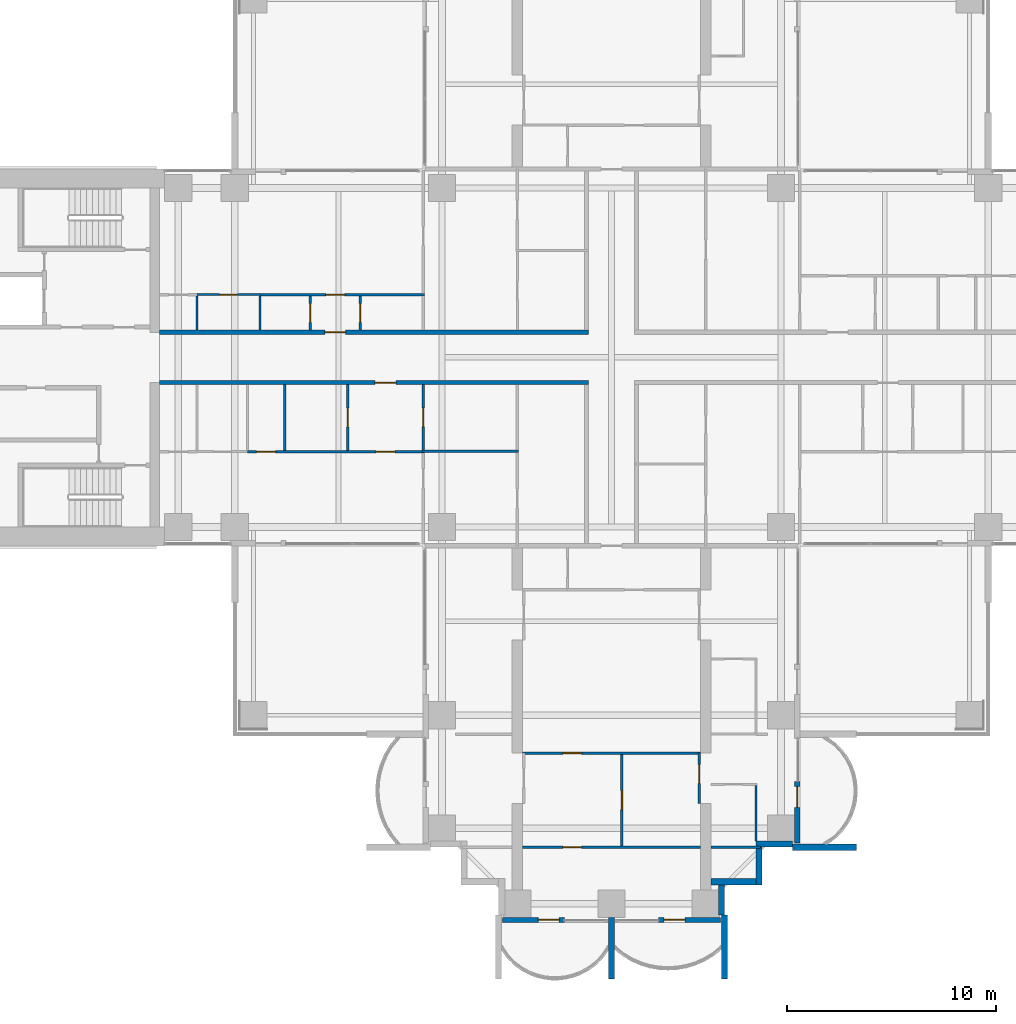
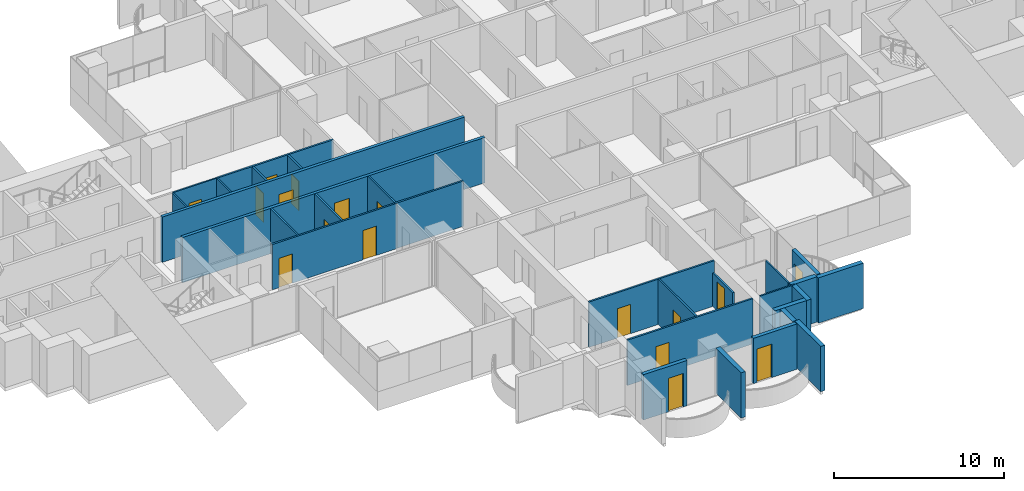
# One storey, part 12 of 22: 29 walls, 17 doors, 17 openings.
"""IFC4 building model written with IfcOpenShell, lengths in metres."""

import ifcopenshell
import ifcopenshell.guid

model = None  # the IFC model being written
_history = None  # IfcOwnerHistory: only IFC2X3 demands one
_inside = {}  # id of a spatial element -> (the spatial element, [elements in it])
_under = {}  # id of a project, library or spatial element -> (it, [spatial elements below it])
_declared = {}  # id of a project -> (the project, [libraries it declares])
_typed = {}  # id of a type object -> (the type object, [elements of that type])
_made_of = {}  # id of a material, layer set ... -> (it, [elements and type objects made of it])


def new_model(schema):
    """Start an empty IFC model of exactly this schema.

    Asked for "IFC4X3", IfcOpenShell would pick the latest addendum, in which some entities
    have other attributes; the version numbers below select the first issue.
    IFC2X3 requires an IfcOwnerHistory on every rooted entity: one is made here for all.
    """
    global model, _history
    if schema == "IFC4X3":
        model = ifcopenshell.file(schema_version=(4, 3, 0, 0))
    else:
        model = ifcopenshell.file(schema=schema)
    _inside.clear()
    _under.clear()
    _declared.clear()
    _typed.clear()
    _made_of.clear()
    _history = None
    if model.schema == "IFC2X3":
        org = make("IfcOrganization", Name="unknown")
        user = make(
            "IfcPersonAndOrganization",
            ThePerson=make("IfcPerson", FamilyName="unknown"),
            TheOrganization=org,
        )
        app = make(
            "IfcApplication",
            ApplicationDeveloper=org,
            Version="unknown",
            ApplicationFullName="unknown",
            ApplicationIdentifier="unknown",
        )
        _history = make(
            "IfcOwnerHistory",
            OwningUser=user,
            OwningApplication=app,
            ChangeAction="ADDED",
            CreationDate=0,
        )
    return model


def make(cls, **values):
    """One entity of the class cls with the attributes given. An attribute that is None is left unset."""
    return model.create_entity(
        cls, **{name: value for name, value in values.items() if value is not None}
    )


def rooted(cls, **values):
    """An entity with a GlobalId (a new one), such as an element, a storey or a relation."""
    return make(cls, GlobalId=ifcopenshell.guid.new(), OwnerHistory=_history, **values)


def si_unit(unit_type, name, prefix=None):
    """IfcSIUnit, for example si_unit("LENGTHUNIT", "METRE", prefix="MILLI")."""
    return make("IfcSIUnit", UnitType=unit_type, Prefix=prefix, Name=name)


def assignment(units):
    """IfcUnitAssignment: the units of a project."""
    return None if units is None else make("IfcUnitAssignment", Units=units)


def point(xyz):
    """IfcCartesianPoint."""
    return None if xyz is None else make("IfcCartesianPoint", Coordinates=xyz)


def direction(xyz):
    """IfcDirection."""
    return None if xyz is None else make("IfcDirection", DirectionRatios=xyz)


def frame(location, z_axis=None, x_axis=None):
    """IfcAxis2Placement3D, a coordinate frame: its origin and axes. An axis left out is left unset."""
    return make(
        "IfcAxis2Placement3D",
        Location=point(location),
        Axis=direction(z_axis),
        RefDirection=direction(x_axis),
    )


def frame_2d(location, x_axis=None):
    """IfcAxis2Placement2D, a coordinate frame in the plane: its origin and x axis."""
    return make(
        "IfcAxis2Placement2D", Location=point(location), RefDirection=direction(x_axis)
    )


def origin():
    """The frame at (0, 0, 0) with its axes left unset."""
    return frame((0.0, 0.0, 0.0))


def place(relative_to, where):
    """IfcLocalPlacement: puts the frame where relative to a parent placement (None: the world)."""
    return make(
        "IfcLocalPlacement", PlacementRelTo=relative_to, RelativePlacement=where
    )


def context(
    kind, dimensions, precision=None, world=None, true_north=None, identifier=None
):
    """IfcGeometricRepresentationContext, for example the 3D "Model" context."""
    return make(
        "IfcGeometricRepresentationContext",
        ContextIdentifier=identifier,
        ContextType=kind,
        CoordinateSpaceDimension=dimensions,
        Precision=precision,
        WorldCoordinateSystem=world,
        TrueNorth=true_north,
    )


def subcontext(parent, identifier, kind, view, scale=None):
    """IfcGeometricRepresentationSubContext, for example "Body" below "Model"."""
    return make(
        "IfcGeometricRepresentationSubContext",
        ContextIdentifier=identifier,
        ContextType=kind,
        ParentContext=parent,
        TargetScale=scale,
        TargetView=view,
    )


def project(units=None, contexts=None):
    """IfcProject with its units and contexts."""
    return rooted(
        "IfcProject",
        Name="project",
        RepresentationContexts=contexts,
        UnitsInContext=assignment(units),
    )


def spatial(cls, under=None, at=None, **own):
    """A site, building, storey or space (cls), placed at a placement, below another one or the project."""
    s = rooted(cls, ObjectPlacement=at, **own)
    if under is not None:
        _under.setdefault(under.id(), (under, []))[1].append(s)
    return s


def profile(cls, at=None, kind="AREA", **sizes):
    """A parametric profile (cls). Its sizes go by their IFC names, for example OverallWidth=200.0."""
    return make(cls, ProfileType=kind, Position=at, **sizes)


def rectangle(**sizes):
    """IfcRectangleProfileDef."""
    return profile("IfcRectangleProfileDef", **sizes)


def extrude(swept, where, along, depth):
    """IfcExtrudedAreaSolid: the profile swept, set in the frame where, extruded along a direction by depth."""
    return make(
        "IfcExtrudedAreaSolid",
        SweptArea=swept,
        Position=where,
        ExtrudedDirection=direction(along),
        Depth=depth,
    )


def shape(context_of_items, identifier, shape_type, items):
    """IfcShapeRepresentation: the items that make up one representation, for example the "Body"."""
    return make(
        "IfcShapeRepresentation",
        ContextOfItems=context_of_items,
        RepresentationIdentifier=identifier,
        RepresentationType=shape_type,
        Items=items,
    )


def material(Name=None, Category=None):
    """IfcMaterial."""
    return make("IfcMaterial", Name=Name, Category=Category)


def layer(
    of_material, thickness, ventilated=None, Name=None, Category=None, Priority=None
):
    """IfcMaterialLayer: one layer of a wall or slab, of a material (None: an air gap)."""
    return make(
        "IfcMaterialLayer",
        Material=of_material,
        LayerThickness=thickness,
        IsVentilated=ventilated,
        Name=Name,
        Category=Category,
        Priority=Priority,
    )


def layer_set(layers, Name=None):
    """IfcMaterialLayerSet."""
    return make("IfcMaterialLayerSet", MaterialLayers=layers, LayerSetName=Name)


def made_of(thing, what):
    """Note that an element or type object is made of a material, layer set ...; save() writes the relation."""
    if what is not None:
        _made_of.setdefault(what.id(), (what, []))[1].append(thing)
    return thing


def type_object(cls, material=None, **own):
    """A type object (cls), such as IfcWallType, which elements share."""
    return made_of(rooted(cls, **own), material)


def element(
    cls,
    number,
    at=None,
    inside=None,
    cuts=None,
    type_object=None,
    material=None,
    context=None,
    identifier="Body",
    shape_type=None,
    held_by="IfcProductDefinitionShape",
    body=None,
    shapes=None,
    **own,
):
    """One element of the class cls, such as IfcWall. Its Tag is "e" and its number.

    at: its placement. inside: the storey or other place that contains it. cuts: it is an
    opening in that element (IfcRelVoidsElement). A single representation is given by context,
    identifier, shape_type and body (its items); several are given by shapes. held_by: the class
    of the entity that holds the representations. save() writes the other relations.
    """
    e = rooted(cls, Tag="e%d" % number, ObjectPlacement=at, **own)
    if body is not None:
        shapes = [shape(context, identifier, shape_type, body)]
    if shapes is not None:
        e.Representation = make(held_by, Representations=shapes)
    if inside is not None:
        _inside.setdefault(inside.id(), (inside, []))[1].append(e)
    if cuts is not None:
        rooted(
            "IfcRelVoidsElement", RelatingBuildingElement=cuts, RelatedOpeningElement=e
        )
    if type_object is not None:
        _typed.setdefault(type_object.id(), (type_object, []))[1].append(e)
    return made_of(e, material)


def fill(opening, filler):
    """IfcRelFillsElement: the door or window that sits in an opening."""
    return rooted(
        "IfcRelFillsElement",
        RelatingOpeningElement=opening,
        RelatedBuildingElement=filler,
    )


def aggregate(whole, parts):
    """IfcRelAggregates: a whole, such as a stair, and the parts it consists of."""
    return rooted("IfcRelAggregates", RelatingObject=whole, RelatedObjects=parts)


def save(model, path):
    """Write the relations noted so far, then the file.

    IfcRelAggregates (storeys below a building ...), IfcRelContainedInSpatialStructure (elements
    in a storey), IfcRelDefinesByType, IfcRelAssociatesMaterial and IfcRelDeclares: one each for
    every whole, place, type object, material and project.
    """
    for whole, parts in _under.values():
        aggregate(whole, parts)
    for where, things in _inside.values():
        rooted(
            "IfcRelContainedInSpatialStructure",
            RelatedElements=things,
            RelatingStructure=where,
        )
    for kind, things in _typed.values():
        rooted("IfcRelDefinesByType", RelatedObjects=things, RelatingType=kind)
    for what, things in _made_of.values():
        rooted("IfcRelAssociatesMaterial", RelatedObjects=things, RelatingMaterial=what)
    for by, libraries in _declared.values():
        rooted("IfcRelDeclares", RelatingContext=by, RelatedDefinitions=libraries)
    model.write(path)


model = new_model("IFC4")

# Units and contexts
model_context = context("Model", 3, precision=1e-05, world=origin(), true_north=direction((0.0, 1.0)))
body_context = subcontext(model_context, "Body", "Model", "MODEL_VIEW")
ifc_project = project(units=[si_unit("LENGTHUNIT", "METRE"), si_unit("AREAUNIT", "SQUARE_METRE"), si_unit("VOLUMEUNIT", "CUBIC_METRE"), si_unit("PLANEANGLEUNIT", "RADIAN"), si_unit("MASSUNIT", "GRAM", prefix="KILO")], contexts=[model_context])

# Site, building, storey
site_placement = place(None, origin())
site = spatial("IfcSite", under=ifc_project, at=site_placement, CompositionType="ELEMENT")
building_placement = place(site_placement, origin())
building = spatial("IfcBuilding", under=site, at=building_placement, Name="Perihelion Cross Residences", CompositionType="ELEMENT")
storey_placement = place(building_placement, frame((0.0, 0.0, 50.5)))
storey = spatial("IfcBuildingStorey", under=building, at=storey_placement, Name="L09", CompositionType="ELEMENT", Elevation=50.5)

# Wall, opening, door
ifc_material_1 = material(Name="Plasterboard partition")
ifc_layer_1 = layer(ifc_material_1, 0.199951171875)
ifc_layer_set_1 = layer_set([ifc_layer_1], Name="Apartment separation wall 200")
wall_type_1 = type_object("IfcWallType", Name="Apartment separation wall 200", PredefinedType="PARTITIONING", material=ifc_layer_set_1)
wall_1_placement = place(storey_placement, frame((-21.60009765625, 1.199951171875, 0.0), z_axis=(0.0, 0.0, 1.0), x_axis=(1.0, 0.0, 0.0)))
wall_1 = element("IfcWall", 1, at=wall_1_placement, inside=storey, type_object=wall_type_1, Name="Partition L09 W005", PredefinedType="PARTITIONING", context=body_context, shape_type="SweptSolid", body=[
    extrude(rectangle(XDim=20.5, YDim=0.199951171875, at=frame_2d((10.25, 0.0))), origin(), (0.0, 0.0, 1.0), 3.25),
])
opening_1_placement = place(wall_1_placement, frame((7.89990234375, 0.0, 0.0)))
opening_1 = element("IfcOpeningElement", 2, at=opening_1_placement, cuts=wall_1, Name="Opening L09.A49", PredefinedType="OPENING", context=body_context, shape_type="SweptSolid", body=[
    extrude(rectangle(XDim=1.0, YDim=2.10009765625, at=frame_2d((0.5, 1.050048828125))), frame((0.0, 0.10986328125, 0.0), z_axis=(0.0, -1.0, 0.0), x_axis=(1.0, 0.0, 0.0)), (0.0, 0.0, 1.0), 0.219970703125),
])
ifc_material_2 = material(Name="Timber door leaf", Category="wood")
door_type_1 = type_object("IfcDoorType", Name="Flat entrance door 1000 x 2100", OperationType="SINGLE_SWING_LEFT", PredefinedType="DOOR", material=ifc_material_2)
door_1_placement = place(opening_1_placement, origin())
door_1 = element("IfcDoor", 3, at=door_1_placement, inside=storey, type_object=door_type_1, Name="Door L09.A49", OperationType="SINGLE_SWING_LEFT", OverallHeight=2.10009765625, OverallWidth=1.0, PredefinedType="DOOR", context=body_context, shape_type="SweptSolid", body=[
    extrude(rectangle(XDim=1.0, YDim=2.10009765625, at=frame_2d((0.5, 1.050048828125))), frame((0.0, 0.02490234375, 0.0), z_axis=(0.0, -1.0, 0.0), x_axis=(1.0, 0.0, 0.0)), (0.0, 0.0, 1.0), 0.050048828125),
])
fill(opening_1, door_1)

wall_2_placement = place(storey_placement, frame((-1.10009765625, -1.199951171875, 0.0), z_axis=(0.0, 0.0, 1.0), x_axis=(-1.0, 0.0, 0.0)))
wall_2 = element("IfcWall", 4, at=wall_2_placement, inside=storey, type_object=wall_type_1, Name="Partition L09 W007", PredefinedType="PARTITIONING", context=body_context, shape_type="SweptSolid", body=[
    extrude(rectangle(XDim=20.5, YDim=0.199951171875, at=frame_2d((10.25, 0.0))), origin(), (0.0, 0.0, 1.0), 3.25),
])
opening_2_placement = place(wall_2_placement, frame((9.199951171875, 0.0, 0.0)))
opening_2 = element("IfcOpeningElement", 5, at=opening_2_placement, cuts=wall_2, Name="Opening L09.A50", PredefinedType="OPENING", context=body_context, shape_type="SweptSolid", body=[
    extrude(rectangle(XDim=1.0, YDim=2.10009765625, at=frame_2d((0.5, 1.050048828125))), frame((0.0, 0.10986328125, 0.0), z_axis=(0.0, -1.0, 0.0), x_axis=(1.0, 0.0, 0.0)), (0.0, 0.0, 1.0), 0.219970703125),
])
door_2_placement = place(opening_2_placement, origin())
door_2 = element("IfcDoor", 6, at=door_2_placement, inside=storey, type_object=door_type_1, Name="Door L09.A50", OperationType="SINGLE_SWING_RIGHT", OverallHeight=2.10009765625, OverallWidth=1.0, PredefinedType="DOOR", context=body_context, shape_type="SweptSolid", body=[
    extrude(rectangle(XDim=1.0, YDim=2.10009765625, at=frame_2d((0.5, 1.050048828125))), frame((0.0, 0.02490234375, 0.0), z_axis=(0.0, -1.0, 0.0), x_axis=(1.0, 0.0, 0.0)), (0.0, 0.0, 1.0), 0.050048828125),
])
fill(opening_2, door_2)

ifc_material_3 = material(Name="Concrete C30/37, bronze-clad", Category="concrete")
ifc_layer_2 = layer(ifc_material_3, 0.25)
ifc_layer_set_2 = layer_set([ifc_layer_2], Name="Bronze-clad pier wall 250")
wall_type_2 = type_object("IfcWallType", Name="Bronze-clad pier wall 250", PredefinedType="SOLIDWALL", material=ifc_layer_set_2)
wall_3_placement = place(storey_placement, frame((-5.199951171875, -26.875, 0.0), z_axis=(0.0, 0.0, 1.0), x_axis=(1.0, 0.0, 0.0)))
wall_3 = element("IfcWall", 7, at=wall_3_placement, inside=storey, type_object=wall_type_2, Name="Wall FW1 L09 south tip south bay 1 pier", PredefinedType="SOLIDWALL", context=body_context, shape_type="SweptSolid", body=[
    extrude(rectangle(XDim=2.949951171875, YDim=0.25, at=frame_2d((1.47509765625, 0.0))), origin(), (0.0, 0.0, 1.0), 3.25),
])
opening_3_placement = place(wall_3_placement, frame((1.699951171875, 0.0, 0.0)))
opening_3 = element("IfcOpeningElement", 8, at=opening_3_placement, cuts=wall_3, Name="Opening L09.E12", PredefinedType="OPENING", context=body_context, shape_type="SweptSolid", body=[
    extrude(rectangle(XDim=1.0, YDim=2.39990234375, at=frame_2d((0.5, 1.199951171875))), frame((0.0, 0.135009765625, 0.0), z_axis=(0.0, -1.0, 0.0), x_axis=(1.0, 0.0, 0.0)), (0.0, 0.0, 1.0), 0.27001953125),
])
ifc_material_4 = material(Name="Bronze anodised aluminium, glazed", Category="aluminium")
door_type_2 = type_object("IfcDoorType", Name="Balcony door 1000 x 2400", OperationType="NOTDEFINED", PredefinedType="DOOR", material=ifc_material_4)
door_3_placement = place(opening_3_placement, origin())
door_3 = element("IfcDoor", 9, at=door_3_placement, inside=storey, type_object=door_type_2, Name="Door L09.E12 south tip south bay 1", OperationType="SINGLE_SWING_LEFT", OverallHeight=2.39990234375, OverallWidth=1.0, PredefinedType="DOOR", context=body_context, shape_type="SweptSolid", body=[
    extrude(rectangle(XDim=1.0, YDim=2.39990234375, at=frame_2d((0.5, 1.199951171875))), frame((0.0, 0.02490234375, 0.0), z_axis=(0.0, -1.0, 0.0), x_axis=(1.0, 0.0, 0.0)), (0.0, 0.0, 1.0), 0.050048828125),
])
fill(opening_3, door_3)

wall_4_placement = place(storey_placement, frame((2.25, -26.875, 0.0), z_axis=(0.0, 0.0, 1.0), x_axis=(1.0, 0.0, 0.0)))
wall_4 = element("IfcWall", 10, at=wall_4_placement, inside=storey, type_object=wall_type_2, Name="Wall FW1 L09 south tip south bay 2 pier", PredefinedType="SOLIDWALL", context=body_context, shape_type="SweptSolid", body=[
    extrude(rectangle(XDim=2.949951171875, YDim=0.25, at=frame_2d((1.47509765625, 0.0))), origin(), (0.0, 0.0, 1.0), 3.25),
])
opening_4_placement = place(wall_4_placement, frame((0.25, 0.0, 0.0)))
opening_4 = element("IfcOpeningElement", 11, at=opening_4_placement, cuts=wall_4, Name="Opening L09.E13", PredefinedType="OPENING", context=body_context, shape_type="SweptSolid", body=[
    extrude(rectangle(XDim=1.0, YDim=2.39990234375, at=frame_2d((0.5, 1.199951171875))), frame((0.0, 0.135009765625, 0.0), z_axis=(0.0, -1.0, 0.0), x_axis=(1.0, 0.0, 0.0)), (0.0, 0.0, 1.0), 0.27001953125),
])
door_4_placement = place(opening_4_placement, origin())
door_4 = element("IfcDoor", 12, at=door_4_placement, inside=storey, type_object=door_type_2, Name="Door L09.E13 south tip south bay 2", OperationType="SINGLE_SWING_RIGHT", OverallHeight=2.39990234375, OverallWidth=1.0, PredefinedType="DOOR", context=body_context, shape_type="SweptSolid", body=[
    extrude(rectangle(XDim=1.0, YDim=2.39990234375, at=frame_2d((0.5, 1.199951171875))), frame((0.0, 0.02490234375, 0.0), z_axis=(0.0, -1.0, 0.0), x_axis=(1.0, 0.0, 0.0)), (0.0, 0.0, 1.0), 0.050048828125),
])
fill(opening_4, door_4)

wall_5_placement = place(storey_placement, frame((8.875, -23.199951171875, 0.0), z_axis=(0.0, 0.0, 1.0), x_axis=(0.0, 1.0, 0.0)))
wall_5 = element("IfcWall", 13, at=wall_5_placement, inside=storey, type_object=wall_type_2, Name="Wall FW1 L09 south side east bay 1 pier", PredefinedType="SOLIDWALL", context=body_context, shape_type="SweptSolid", body=[
    extrude(rectangle(XDim=2.949951171875, YDim=0.25, at=frame_2d((1.47509765625, 0.0))), origin(), (0.0, 0.0, 1.0), 3.25),
])
opening_5_placement = place(wall_5_placement, frame((1.699951171875, 0.0, 0.0)))
opening_5 = element("IfcOpeningElement", 14, at=opening_5_placement, cuts=wall_5, Name="Opening L09.E14", PredefinedType="OPENING", context=body_context, shape_type="SweptSolid", body=[
    extrude(rectangle(XDim=1.0, YDim=2.39990234375, at=frame_2d((0.5, 1.199951171875))), frame((0.0, 0.135009765625, 0.0), z_axis=(0.0, -1.0, 0.0), x_axis=(1.0, 0.0, 0.0)), (0.0, 0.0, 1.0), 0.27001953125),
])
door_5_placement = place(opening_5_placement, origin())
door_5 = element("IfcDoor", 15, at=door_5_placement, inside=storey, type_object=door_type_2, Name="Door L09.E14 south side east bay 1", OperationType="SINGLE_SWING_LEFT", OverallHeight=2.39990234375, OverallWidth=1.0, PredefinedType="DOOR", context=body_context, shape_type="SweptSolid", body=[
    extrude(rectangle(XDim=1.0, YDim=2.39990234375, at=frame_2d((0.5, 1.199951171875))), frame((0.0, 0.02490234375, 0.0), z_axis=(0.0, -1.0, 0.0), x_axis=(1.0, 0.0, 0.0)), (0.0, 0.0, 1.0), 0.050048828125),
])
fill(opening_5, door_5)

# Walls
ifc_material_5 = material(Name="Concrete C30/37, bronze-clad", Category="concrete")
ifc_layer_3 = layer(ifc_material_5, 0.300048828125)
ifc_layer_set_3 = layer_set([ifc_layer_3], Name="Bronze-clad serration wall 300")
wall_type_3 = type_object("IfcWallType", Name="Bronze-clad serration wall 300", PredefinedType="SOLIDWALL", material=ifc_layer_set_3)
wall_6_placement = place(storey_placement, frame((5.25, -26.64990234375, 0.0), z_axis=(0.0, 0.0, 1.0), x_axis=(0.0, 1.0, 0.0)))
element("IfcWall", 16, at=wall_6_placement, inside=storey, type_object=wall_type_3, Name="Wall SR1 L09 south corner south-east 1", PredefinedType="SOLIDWALL", context=body_context, shape_type="SweptSolid", body=[
    extrude(rectangle(XDim=1.449951171875, YDim=0.300048828125, at=frame_2d((0.72509765625, 0.0))), origin(), (0.0, 0.0, 1.0), 3.25),
])
wall_7_placement = place(storey_placement, frame((4.75, -25.050048828125, 0.0), z_axis=(0.0, 0.0, 1.0), x_axis=(1.0, 0.0, 0.0)))
element("IfcWall", 17, at=wall_7_placement, inside=storey, type_object=wall_type_3, Name="Wall SR1 L09 south corner south-east 2", PredefinedType="SOLIDWALL", context=body_context, shape_type="SweptSolid", body=[
    extrude(rectangle(XDim=2.14990234375, YDim=0.300048828125, at=frame_2d((1.074951171875, 0.0))), origin(), (0.0, 0.0, 1.0), 3.25),
])
wall_8_placement = place(storey_placement, frame((7.050048828125, -25.199951171875, 0.0), z_axis=(0.0, 0.0, 1.0), x_axis=(0.0, 1.0, 0.0)))
element("IfcWall", 18, at=wall_8_placement, inside=storey, type_object=wall_type_3, Name="Wall SR1 L09 south corner south-east 3", PredefinedType="SOLIDWALL", context=body_context, shape_type="SweptSolid", body=[
    extrude(rectangle(XDim=1.800048828125, YDim=0.300048828125, at=frame_2d((0.89990234375, 0.0))), origin(), (0.0, 0.0, 1.0), 3.25),
])
wall_9_placement = place(storey_placement, frame((6.89990234375, -23.25, 0.0), z_axis=(0.0, 0.0, 1.0), x_axis=(1.0, 0.0, 0.0)))
element("IfcWall", 19, at=wall_9_placement, inside=storey, type_object=wall_type_3, Name="Wall SR1 L09 south corner south-east 4", PredefinedType="SOLIDWALL", context=body_context, shape_type="SweptSolid", body=[
    extrude(rectangle(XDim=1.75, YDim=0.300048828125, at=frame_2d((0.875, 0.0))), origin(), (0.0, 0.0, 1.0), 3.25),
])

# Wall, opening, door
ifc_material_6 = material(Name="Plasterboard partition")
ifc_layer_4 = layer(ifc_material_6, 0.1201171875)
ifc_layer_set_4 = layer_set([ifc_layer_4], Name="Infill panel 120")
wall_type_4 = type_object("IfcWallType", Name="Infill panel 120", PredefinedType="PARTITIONING", material=ifc_layer_set_4)
wall_10_placement = place(storey_placement, frame((4.18994140625, -18.89990234375, 0.0), z_axis=(0.0, 0.0, 1.0), x_axis=(0.0, -1.0, 0.0)))
wall_10 = element("IfcWall", 20, at=wall_10_placement, inside=storey, type_object=wall_type_4, Name="Partition L09 WI06", PredefinedType="PARTITIONING", context=body_context, shape_type="SweptSolid", body=[
    extrude(rectangle(XDim=2.400146484375, YDim=0.1201171875, at=frame_2d((1.2001953125, 0.0))), origin(), (0.0, 0.0, 1.0), 2.39990234375),
])
opening_6_placement = place(wall_10_placement, frame((0.550048828125, 0.0, 0.0)))
opening_6 = element("IfcOpeningElement", 21, at=opening_6_placement, cuts=wall_10, Name="Opening L09.A56", PredefinedType="OPENING", context=body_context, shape_type="SweptSolid", body=[
    extrude(rectangle(XDim=0.89990234375, YDim=2.10009765625, at=frame_2d((0.449951171875, 1.050048828125))), frame((0.0, 0.070068359375, 0.0), z_axis=(0.0, -1.0, 0.0), x_axis=(1.0, 0.0, 0.0)), (0.0, 0.0, 1.0), 0.14013671875),
])
ifc_material_7 = material(Name="Timber door leaf", Category="wood")
door_type_3 = type_object("IfcDoorType", Name="Interior room door 900 x 2100", OperationType="SINGLE_SWING_LEFT", PredefinedType="DOOR", material=ifc_material_7)
door_6_placement = place(opening_6_placement, origin())
door_6 = element("IfcDoor", 22, at=door_6_placement, inside=storey, type_object=door_type_3, Name="Door L09.A56", OperationType="SINGLE_SWING_LEFT", OverallHeight=2.10009765625, OverallWidth=0.89990234375, PredefinedType="DOOR", context=body_context, shape_type="SweptSolid", body=[
    extrude(rectangle(XDim=0.89990234375, YDim=2.10009765625, at=frame_2d((0.449951171875, 1.050048828125))), frame((0.0, 0.02490234375, 0.0), z_axis=(0.0, -1.0, 0.0), x_axis=(1.0, 0.0, 0.0)), (0.0, 0.0, 1.0), 0.050048828125),
])
fill(opening_6, door_6)

ifc_material_8 = material(Name="Plasterboard partition")
ifc_layer_5 = layer(ifc_material_8, 0.1201171875)
ifc_layer_set_5 = layer_set([ifc_layer_5], Name="Partition wall 120")
wall_type_5 = type_object("IfcWallType", Name="Partition wall 120", PredefinedType="PARTITIONING", material=ifc_layer_set_5)
wall_11_placement = place(storey_placement, frame((-12.0, 1.300048828125, 0.0), z_axis=(0.0, 0.0, 1.0), x_axis=(0.0, 1.0, 0.0)))
wall_11 = element("IfcWall", 23, at=wall_11_placement, inside=storey, type_object=wall_type_5, Name="Partition L09 W031", PredefinedType="PARTITIONING", context=body_context, shape_type="SweptSolid", body=[
    extrude(rectangle(XDim=1.639892578125, YDim=0.1201171875, at=frame_2d((0.81982421875, 0.0))), origin(), (0.0, 0.0, 1.0), 3.25),
])
opening_7_placement = place(wall_11_placement, frame((0.3701171875, 0.0, 0.0)))
opening_7 = element("IfcOpeningElement", 24, at=opening_7_placement, cuts=wall_11, Name="Opening L09.A17", PredefinedType="OPENING", context=body_context, shape_type="SweptSolid", body=[
    extrude(rectangle(XDim=0.89990234375, YDim=2.10009765625, at=frame_2d((0.449951171875, 1.050048828125))), frame((0.0, 0.070068359375, 0.0), z_axis=(0.0, -1.0, 0.0), x_axis=(1.0, 0.0, 0.0)), (0.0, 0.0, 1.0), 0.14013671875),
])
door_7_placement = place(opening_7_placement, origin())
door_7 = element("IfcDoor", 25, at=door_7_placement, inside=storey, type_object=door_type_3, Name="Door L09.A17", OperationType="SINGLE_SWING_RIGHT", OverallHeight=2.10009765625, OverallWidth=0.89990234375, PredefinedType="DOOR", context=body_context, shape_type="SweptSolid", body=[
    extrude(rectangle(XDim=0.89990234375, YDim=2.10009765625, at=frame_2d((0.449951171875, 1.050048828125))), frame((0.0, 0.02490234375, 0.0), z_axis=(0.0, -1.0, 0.0), x_axis=(1.0, 0.0, 0.0)), (0.0, 0.0, 1.0), 0.050048828125),
])
fill(opening_7, door_7)

wall_12_placement = place(storey_placement, frame((-16.800048828125, 3.0, 0.0), z_axis=(0.0, 0.0, 1.0), x_axis=(1.0, 0.0, 0.0)))
wall_12 = element("IfcWall", 26, at=wall_12_placement, inside=storey, type_object=wall_type_5, Name="Partition L09 W032", PredefinedType="PARTITIONING", context=body_context, shape_type="SweptSolid", body=[
    extrude(rectangle(XDim=7.860107421875, YDim=0.1201171875, at=frame_2d((3.93017578125, 0.0))), origin(), (0.0, 0.0, 1.0), 3.25),
])
opening_8_placement = place(wall_12_placement, frame((3.14990234375, 0.0, 0.0)))
opening_8 = element("IfcOpeningElement", 27, at=opening_8_placement, cuts=wall_12, Name="Opening L09.A22", PredefinedType="OPENING", context=body_context, shape_type="SweptSolid", body=[
    extrude(rectangle(XDim=0.89990234375, YDim=2.10009765625, at=frame_2d((0.449951171875, 1.050048828125))), frame((0.0, 0.070068359375, 0.0), z_axis=(0.0, -1.0, 0.0), x_axis=(1.0, 0.0, 0.0)), (0.0, 0.0, 1.0), 0.14013671875),
])
door_8_placement = place(opening_8_placement, origin())
door_8 = element("IfcDoor", 28, at=door_8_placement, inside=storey, type_object=door_type_3, Name="Door L09.A22", OperationType="SINGLE_SWING_LEFT", OverallHeight=2.10009765625, OverallWidth=0.89990234375, PredefinedType="DOOR", context=body_context, shape_type="SweptSolid", body=[
    extrude(rectangle(XDim=0.89990234375, YDim=2.10009765625, at=frame_2d((0.449951171875, 1.050048828125))), frame((0.0, 0.02490234375, 0.0), z_axis=(0.0, -1.0, 0.0), x_axis=(1.0, 0.0, 0.0)), (0.0, 0.0, 1.0), 0.050048828125),
])
fill(opening_8, door_8)

wall_13_placement = place(storey_placement, frame((-14.39990234375, 1.300048828125, 0.0), z_axis=(0.0, 0.0, 1.0), x_axis=(0.0, 1.0, 0.0)))
wall_13 = element("IfcWall", 29, at=wall_13_placement, inside=storey, type_object=wall_type_5, Name="Partition L09 W034", PredefinedType="PARTITIONING", context=body_context, shape_type="SweptSolid", body=[
    extrude(rectangle(XDim=1.639892578125, YDim=0.1201171875, at=frame_2d((0.81982421875, 0.0))), origin(), (0.0, 0.0, 1.0), 3.25),
])
opening_9_placement = place(wall_13_placement, frame((0.3701171875, 0.0, 0.0)))
opening_9 = element("IfcOpeningElement", 30, at=opening_9_placement, cuts=wall_13, Name="Opening L09.A23", PredefinedType="OPENING", context=body_context, shape_type="SweptSolid", body=[
    extrude(rectangle(XDim=0.89990234375, YDim=2.10009765625, at=frame_2d((0.449951171875, 1.050048828125))), frame((0.0, 0.070068359375, 0.0), z_axis=(0.0, -1.0, 0.0), x_axis=(1.0, 0.0, 0.0)), (0.0, 0.0, 1.0), 0.14013671875),
])
door_9_placement = place(opening_9_placement, origin())
door_9 = element("IfcDoor", 31, at=door_9_placement, inside=storey, type_object=door_type_3, Name="Door L09.A23", OperationType="SINGLE_SWING_LEFT", OverallHeight=2.10009765625, OverallWidth=0.89990234375, PredefinedType="DOOR", context=body_context, shape_type="SweptSolid", body=[
    extrude(rectangle(XDim=0.89990234375, YDim=2.10009765625, at=frame_2d((0.449951171875, 1.050048828125))), frame((0.0, 0.02490234375, 0.0), z_axis=(0.0, -1.0, 0.0), x_axis=(1.0, 0.0, 0.0)), (0.0, 0.0, 1.0), 0.050048828125),
])
fill(opening_9, door_9)

wall_14_placement = place(storey_placement, frame((-12.60009765625, -4.43994140625, 0.0), z_axis=(0.0, 0.0, 1.0), x_axis=(0.0, 1.0, 0.0)))
wall_14 = element("IfcWall", 32, at=wall_14_placement, inside=storey, type_object=wall_type_5, Name="Partition L09 W042", PredefinedType="PARTITIONING", context=body_context, shape_type="SweptSolid", body=[
    extrude(rectangle(XDim=3.139892578125, YDim=0.1201171875, at=frame_2d((1.56982421875, 0.0))), origin(), (0.0, 0.0, 1.0), 3.25),
])
opening_10_placement = place(wall_14_placement, frame((1.1201171875, 0.0, 0.0)))
opening_10 = element("IfcOpeningElement", 33, at=opening_10_placement, cuts=wall_14, Name="Opening L09.A26", PredefinedType="OPENING", context=body_context, shape_type="SweptSolid", body=[
    extrude(rectangle(XDim=0.89990234375, YDim=2.10009765625, at=frame_2d((0.449951171875, 1.050048828125))), frame((0.0, 0.070068359375, 0.0), z_axis=(0.0, -1.0, 0.0), x_axis=(1.0, 0.0, 0.0)), (0.0, 0.0, 1.0), 0.14013671875),
])
door_10_placement = place(opening_10_placement, origin())
door_10 = element("IfcDoor", 34, at=door_10_placement, inside=storey, type_object=door_type_3, Name="Door L09.A26", OperationType="SINGLE_SWING_RIGHT", OverallHeight=2.10009765625, OverallWidth=0.89990234375, PredefinedType="DOOR", context=body_context, shape_type="SweptSolid", body=[
    extrude(rectangle(XDim=0.89990234375, YDim=2.10009765625, at=frame_2d((0.449951171875, 1.050048828125))), frame((0.0, 0.02490234375, 0.0), z_axis=(0.0, -1.0, 0.0), x_axis=(1.0, 0.0, 0.0)), (0.0, 0.0, 1.0), 0.050048828125),
])
fill(opening_10, door_10)

# Wall, openings, doors
wall_15_placement = place(storey_placement, frame((-8.93994140625, -4.5, 0.0), z_axis=(0.0, 0.0, 1.0), x_axis=(-1.0, 0.0, 0.0)))
wall_15 = element("IfcWall", 35, at=wall_15_placement, inside=storey, type_object=wall_type_5, Name="Partition L09 W043", PredefinedType="PARTITIONING", context=body_context, shape_type="SweptSolid", body=[
    extrude(rectangle(XDim=8.4599609375, YDim=0.1201171875, at=frame_2d((4.22998046875, 0.0))), origin(), (0.0, 0.0, 1.0), 3.25),
])
opening_11_placement = place(wall_15_placement, frame((7.110107421875, 0.0, 0.0)))
opening_11 = element("IfcOpeningElement", 36, at=opening_11_placement, cuts=wall_15, Name="Opening L09.A28", PredefinedType="OPENING", context=body_context, shape_type="SweptSolid", body=[
    extrude(rectangle(XDim=0.89990234375, YDim=2.10009765625, at=frame_2d((0.449951171875, 1.050048828125))), frame((0.0, 0.070068359375, 0.0), z_axis=(0.0, -1.0, 0.0), x_axis=(1.0, 0.0, 0.0)), (0.0, 0.0, 1.0), 0.14013671875),
])
opening_12_placement = place(wall_15_placement, frame((1.409912109375, 0.0, 0.0)))
opening_12 = element("IfcOpeningElement", 37, at=opening_12_placement, cuts=wall_15, Name="Opening L09.A31", PredefinedType="OPENING", context=body_context, shape_type="SweptSolid", body=[
    extrude(rectangle(XDim=0.89990234375, YDim=2.10009765625, at=frame_2d((0.449951171875, 1.050048828125))), frame((0.0, 0.070068359375, 0.0), z_axis=(0.0, -1.0, 0.0), x_axis=(1.0, 0.0, 0.0)), (0.0, 0.0, 1.0), 0.14013671875),
])
door_11_placement = place(opening_11_placement, origin())
door_11 = element("IfcDoor", 38, at=door_11_placement, inside=storey, type_object=door_type_3, Name="Door L09.A28", OperationType="SINGLE_SWING_RIGHT", OverallHeight=2.10009765625, OverallWidth=0.89990234375, PredefinedType="DOOR", context=body_context, shape_type="SweptSolid", body=[
    extrude(rectangle(XDim=0.89990234375, YDim=2.10009765625, at=frame_2d((0.449951171875, 1.050048828125))), frame((0.0, 0.02490234375, 0.0), z_axis=(0.0, -1.0, 0.0), x_axis=(1.0, 0.0, 0.0)), (0.0, 0.0, 1.0), 0.050048828125),
])
fill(opening_11, door_11)
door_12_placement = place(opening_12_placement, origin())
door_12 = element("IfcDoor", 39, at=door_12_placement, inside=storey, type_object=door_type_3, Name="Door L09.A31", OperationType="SINGLE_SWING_LEFT", OverallHeight=2.10009765625, OverallWidth=0.89990234375, PredefinedType="DOOR", context=body_context, shape_type="SweptSolid", body=[
    extrude(rectangle(XDim=0.89990234375, YDim=2.10009765625, at=frame_2d((0.449951171875, 1.050048828125))), frame((0.0, 0.02490234375, 0.0), z_axis=(0.0, -1.0, 0.0), x_axis=(1.0, 0.0, 0.0)), (0.0, 0.0, 1.0), 0.050048828125),
])
fill(opening_12, door_12)

# Wall, opening, door
wall_16_placement = place(storey_placement, frame((-9.0, -1.300048828125, 0.0), z_axis=(0.0, 0.0, 1.0), x_axis=(0.0, -1.0, 0.0)))
wall_16 = element("IfcWall", 40, at=wall_16_placement, inside=storey, type_object=wall_type_5, Name="Partition L09 W044", PredefinedType="PARTITIONING", context=body_context, shape_type="SweptSolid", body=[
    extrude(rectangle(XDim=3.115966796875, YDim=0.1201171875, at=frame_2d((1.55810546875, 0.0))), origin(), (0.0, 0.0, 1.0), 3.25),
])
opening_13_placement = place(wall_16_placement, frame((1.10791015625, 0.0, 0.0)))
opening_13 = element("IfcOpeningElement", 41, at=opening_13_placement, cuts=wall_16, Name="Opening L09.A27", PredefinedType="OPENING", context=body_context, shape_type="SweptSolid", body=[
    extrude(rectangle(XDim=0.89990234375, YDim=2.10009765625, at=frame_2d((0.449951171875, 1.050048828125))), frame((0.0, 0.070068359375, 0.0), z_axis=(0.0, -1.0, 0.0), x_axis=(1.0, 0.0, 0.0)), (0.0, 0.0, 1.0), 0.14013671875),
])
door_13_placement = place(opening_13_placement, origin())
door_13 = element("IfcDoor", 42, at=door_13_placement, inside=storey, type_object=door_type_3, Name="Door L09.A27", OperationType="SINGLE_SWING_LEFT", OverallHeight=2.10009765625, OverallWidth=0.89990234375, PredefinedType="DOOR", context=body_context, shape_type="SweptSolid", body=[
    extrude(rectangle(XDim=0.89990234375, YDim=2.10009765625, at=frame_2d((0.449951171875, 1.050048828125))), frame((0.0, 0.02490234375, 0.0), z_axis=(0.0, -1.0, 0.0), x_axis=(1.0, 0.0, 0.0)), (0.0, 0.0, 1.0), 0.050048828125),
])
fill(opening_13, door_13)

# Walls
wall_17_placement = place(storey_placement, frame((-15.60009765625, -4.43994140625, 0.0), z_axis=(0.0, 0.0, 1.0), x_axis=(0.0, 1.0, 0.0)))
element("IfcWall", 43, at=wall_17_placement, inside=storey, type_object=wall_type_5, Name="Partition L09 W045", PredefinedType="PARTITIONING", context=body_context, shape_type="SweptSolid", body=[
    extrude(rectangle(XDim=3.139892578125, YDim=0.1201171875, at=frame_2d((1.56982421875, 0.0))), origin(), (0.0, 0.0, 1.0), 3.25),
])
wall_18_placement = place(storey_placement, frame((-4.43994140625, -4.47607421875, 0.0), z_axis=(0.0, 0.0, 1.0), x_axis=(-1.0, 0.0, 0.0)))
element("IfcWall", 44, at=wall_18_placement, inside=storey, type_object=wall_type_5, Name="Partition L09 W051", PredefinedType="PARTITIONING", context=body_context, shape_type="SweptSolid", body=[
    extrude(rectangle(XDim=4.6201171875, YDim=0.1201171875, at=frame_2d((2.31005859375, 0.0))), origin(), (0.0, 0.0, 1.0), 3.25),
])

# Wall, opening, door
wall_19_placement = place(storey_placement, frame((4.25, -18.89990234375, 0.0), z_axis=(0.0, 0.0, 1.0), x_axis=(-1.0, 0.0, 0.0)))
wall_19 = element("IfcWall", 45, at=wall_19_placement, inside=storey, type_object=wall_type_5, Name="Partition L09 W069", PredefinedType="PARTITIONING", context=body_context, shape_type="SweptSolid", body=[
    extrude(rectangle(XDim=8.5, YDim=0.1201171875, at=frame_2d((4.25, 0.0))), origin(), (0.0, 0.0, 1.0), 3.25),
])
opening_14_placement = place(wall_19_placement, frame((5.675048828125, 0.0, 0.0)))
opening_14 = element("IfcOpeningElement", 46, at=opening_14_placement, cuts=wall_19, Name="Opening L09.A42", PredefinedType="OPENING", context=body_context, shape_type="SweptSolid", body=[
    extrude(rectangle(XDim=0.89990234375, YDim=2.10009765625, at=frame_2d((0.449951171875, 1.050048828125))), frame((0.0, 0.070068359375, 0.0), z_axis=(0.0, -1.0, 0.0), x_axis=(1.0, 0.0, 0.0)), (0.0, 0.0, 1.0), 0.14013671875),
])
door_14_placement = place(opening_14_placement, origin())
door_14 = element("IfcDoor", 47, at=door_14_placement, inside=storey, type_object=door_type_3, Name="Door L09.A42", OperationType="SINGLE_SWING_LEFT", OverallHeight=2.10009765625, OverallWidth=0.89990234375, PredefinedType="DOOR", context=body_context, shape_type="SweptSolid", body=[
    extrude(rectangle(XDim=0.89990234375, YDim=2.10009765625, at=frame_2d((0.449951171875, 1.050048828125))), frame((0.0, 0.02490234375, 0.0), z_axis=(0.0, -1.0, 0.0), x_axis=(1.0, 0.0, 0.0)), (0.0, 0.0, 1.0), 0.050048828125),
])
fill(opening_14, door_14)

wall_20_placement = place(storey_placement, frame((0.5, -18.9599609375, 0.0), z_axis=(0.0, 0.0, 1.0), x_axis=(0.0, -1.0, 0.0)))
wall_20 = element("IfcWall", 48, at=wall_20_placement, inside=storey, type_object=wall_type_5, Name="Partition L09 W070", PredefinedType="PARTITIONING", context=body_context, shape_type="SweptSolid", body=[
    extrude(rectangle(XDim=4.380126953125, YDim=0.1201171875, at=frame_2d((2.18994140625, 0.0))), origin(), (0.0, 0.0, 1.0), 3.25),
])
opening_15_placement = place(wall_20_placement, frame((1.739990234375, 0.0, 0.0)))
opening_15 = element("IfcOpeningElement", 49, at=opening_15_placement, cuts=wall_20, Name="Opening L09.A43", PredefinedType="OPENING", context=body_context, shape_type="SweptSolid", body=[
    extrude(rectangle(XDim=0.89990234375, YDim=2.10009765625, at=frame_2d((0.449951171875, 1.050048828125))), frame((0.0, 0.070068359375, 0.0), z_axis=(0.0, -1.0, 0.0), x_axis=(1.0, 0.0, 0.0)), (0.0, 0.0, 1.0), 0.14013671875),
])
door_15_placement = place(opening_15_placement, origin())
door_15 = element("IfcDoor", 50, at=door_15_placement, inside=storey, type_object=door_type_3, Name="Door L09.A43", OperationType="SINGLE_SWING_LEFT", OverallHeight=2.10009765625, OverallWidth=0.89990234375, PredefinedType="DOOR", context=body_context, shape_type="SweptSolid", body=[
    extrude(rectangle(XDim=0.89990234375, YDim=2.10009765625, at=frame_2d((0.449951171875, 1.050048828125))), frame((0.0, 0.02490234375, 0.0), z_axis=(0.0, -1.0, 0.0), x_axis=(1.0, 0.0, 0.0)), (0.0, 0.0, 1.0), 0.050048828125),
])
fill(opening_15, door_15)

wall_21_placement = place(storey_placement, frame((4.25, -23.39990234375, 0.0), z_axis=(0.0, 0.0, 1.0), x_axis=(-1.0, 0.0, 0.0)))
wall_21 = element("IfcWall", 51, at=wall_21_placement, inside=storey, type_object=wall_type_5, Name="Partition L09 W071", PredefinedType="PARTITIONING", context=body_context, shape_type="SweptSolid", body=[
    extrude(rectangle(XDim=8.5, YDim=0.1201171875, at=frame_2d((4.25, 0.0))), origin(), (0.0, 0.0, 1.0), 3.25),
])
opening_16_placement = place(wall_21_placement, frame((5.675048828125, 0.0, 0.0)))
opening_16 = element("IfcOpeningElement", 52, at=opening_16_placement, cuts=wall_21, Name="Opening L09.A44", PredefinedType="OPENING", context=body_context, shape_type="SweptSolid", body=[
    extrude(rectangle(XDim=0.89990234375, YDim=2.10009765625, at=frame_2d((0.449951171875, 1.050048828125))), frame((0.0, 0.070068359375, 0.0), z_axis=(0.0, -1.0, 0.0), x_axis=(1.0, 0.0, 0.0)), (0.0, 0.0, 1.0), 0.14013671875),
])
door_16_placement = place(opening_16_placement, origin())
door_16 = element("IfcDoor", 53, at=door_16_placement, inside=storey, type_object=door_type_3, Name="Door L09.A44", OperationType="SINGLE_SWING_RIGHT", OverallHeight=2.10009765625, OverallWidth=0.89990234375, PredefinedType="DOOR", context=body_context, shape_type="SweptSolid", body=[
    extrude(rectangle(XDim=0.89990234375, YDim=2.10009765625, at=frame_2d((0.449951171875, 1.050048828125))), frame((0.0, 0.02490234375, 0.0), z_axis=(0.0, -1.0, 0.0), x_axis=(1.0, 0.0, 0.0)), (0.0, 0.0, 1.0), 0.050048828125),
])
fill(opening_16, door_16)

# Walls
ifc_material_9 = material(Name="Precast concrete C50/60", Category="concrete")
ifc_layer_6 = layer(ifc_material_9, 0.300048828125)
ifc_layer_set_6 = layer_set([ifc_layer_6], Name="Precast concrete C50/60 blade wall 300")
wall_type_6 = type_object("IfcWallType", Name="Precast concrete C50/60 blade wall 300", PredefinedType="SOLIDWALL", material=ifc_layer_set_6)
wall_22_placement = place(storey_placement, frame((0.0, -26.75, 0.0), z_axis=(0.0, 0.0, 1.0), x_axis=(0.0, -1.0, 0.0)))
element("IfcWall", 54, at=wall_22_placement, inside=storey, type_object=wall_type_6, Name="Wall BL1 L09 no. 9", PredefinedType="SOLIDWALL", context=body_context, shape_type="SweptSolid", body=[
    extrude(rectangle(XDim=2.949951171875, YDim=0.300048828125, at=frame_2d((1.47509765625, 0.0))), origin(), (0.0, 0.0, 1.0), 3.25),
])
for number, where, z_axis, x_axis, name in (
    (55, (5.39990234375, -26.64990234375, 0.0), (0.0, 0.0, 1.0), (0.0, -1.0, 0.0), "Wall BL1 L09 no. 13"),
    (56, (8.64990234375, -23.39990234375, 0.0), (0.0, 0.0, 1.0), (1.0, 0.0, 0.0), "Wall BL1 L09 no. 16"),
):
    element("IfcWall", number, at=place(storey_placement, frame(where, z_axis=z_axis, x_axis=x_axis)), inside=storey, type_object=wall_type_6, Name=name, PredefinedType="SOLIDWALL", context=body_context, shape_type="SweptSolid", body=[
        extrude(rectangle(XDim=3.050048828125, YDim=0.300048828125, at=frame_2d((1.52490234375, 0.0))), origin(), (0.0, 0.0, 1.0), 3.25),
    ])
ifc_material_10 = material(Name="Plasterboard partition")
ifc_layer_7 = layer(ifc_material_10, 0.10009765625)
ifc_layer_set_7 = layer_set([ifc_layer_7], Name="Wet room wall 100")
wall_type_7 = type_object("IfcWallType", Name="Wet room wall 100", PredefinedType="PARTITIONING", material=ifc_layer_set_7)
for number, where, z_axis, x_axis, name in (
    (57, (-16.800048828125, 1.300048828125, 0.0), (0.0, 0.0, 1.0), (0.0, 1.0, 0.0), "Partition L09 W035"),
    (58, (-19.800048828125, 1.300048828125, 0.0), (0.0, 0.0, 1.0), (0.0, 1.0, 0.0), "Partition L09 W036"),
):
    element("IfcWall", number, at=place(storey_placement, frame(where, z_axis=z_axis, x_axis=x_axis)), inside=storey, type_object=wall_type_7, Name=name, PredefinedType="PARTITIONING", context=body_context, shape_type="SweptSolid", body=[
        extrude(rectangle(XDim=1.639892578125, YDim=0.10009765625, at=frame_2d((0.81982421875, 0.0))), origin(), (0.0, 0.0, 1.0), 3.25),
    ])

# Wall, opening, door
wall_23_placement = place(storey_placement, frame((-19.800048828125, 3.0, 0.0), z_axis=(0.0, 0.0, 1.0), x_axis=(1.0, 0.0, 0.0)))
wall_23 = element("IfcWall", 59, at=wall_23_placement, inside=storey, type_object=wall_type_7, Name="Partition L09 W037", PredefinedType="PARTITIONING", context=body_context, shape_type="SweptSolid", body=[
    extrude(rectangle(XDim=3.0, YDim=0.10009765625, at=frame_2d((1.5, 0.0))), origin(), (0.0, 0.0, 1.0), 3.25),
])
opening_17_placement = place(wall_23_placement, frame((1.074951171875, 0.0, 0.0)))
opening_17 = element("IfcOpeningElement", 60, at=opening_17_placement, cuts=wall_23, Name="Opening L09.A16", PredefinedType="OPENING", context=body_context, shape_type="SweptSolid", body=[
    extrude(rectangle(XDim=0.85009765625, YDim=2.10009765625, at=frame_2d((0.425048828125, 1.050048828125))), frame((0.0, 0.06005859375, 0.0), z_axis=(0.0, -1.0, 0.0), x_axis=(1.0, 0.0, 0.0)), (0.0, 0.0, 1.0), 0.1201171875),
])
ifc_material_11 = material(Name="Timber door leaf", Category="wood")
door_type_4 = type_object("IfcDoorType", Name="Interior bathroom door 850 x 2100", OperationType="SINGLE_SWING_LEFT", PredefinedType="DOOR", material=ifc_material_11)
door_17_placement = place(opening_17_placement, origin())
door_17 = element("IfcDoor", 61, at=door_17_placement, inside=storey, type_object=door_type_4, Name="Door L09.A16", OperationType="SINGLE_SWING_LEFT", OverallHeight=2.10009765625, OverallWidth=0.85009765625, PredefinedType="DOOR", context=body_context, shape_type="SweptSolid", body=[
    extrude(rectangle(XDim=0.85009765625, YDim=2.10009765625, at=frame_2d((0.425048828125, 1.050048828125))), frame((0.0, 0.02490234375, 0.0), z_axis=(0.0, -1.0, 0.0), x_axis=(1.0, 0.0, 0.0)), (0.0, 0.0, 1.0), 0.050048828125),
])
fill(opening_17, door_17)

# Walls
wall_24_placement = place(storey_placement, frame((6.89990234375, -23.10009765625, 0.0), z_axis=(0.0, 0.0, 1.0), x_axis=(0.0, 1.0, 0.0)))
element("IfcWall", 62, at=wall_24_placement, inside=storey, type_object=wall_type_7, Name="Partition L09 W076", PredefinedType="PARTITIONING", context=body_context, shape_type="SweptSolid", body=[
    extrude(rectangle(XDim=2.650146484375, YDim=0.10009765625, at=frame_2d((1.3251953125, 0.0))), origin(), (0.0, 0.0, 1.0), 3.25),
])
wall_25_placement = place(storey_placement, frame((7.1201171875, -23.39990234375, 0.0), z_axis=(0.0, 0.0, 1.0), x_axis=(-1.0, 0.0, 0.0)))
element("IfcWall", 63, at=wall_25_placement, inside=storey, type_object=wall_type_7, Name="Partition L09 W078", PredefinedType="PARTITIONING", context=body_context, shape_type="SweptSolid", body=[
    extrude(rectangle(XDim=2.3701171875, YDim=0.10009765625, at=frame_2d((1.18505859375, 0.0))), origin(), (0.0, 0.0, 1.0), 3.25),
])

save(model, "model.ifc")
